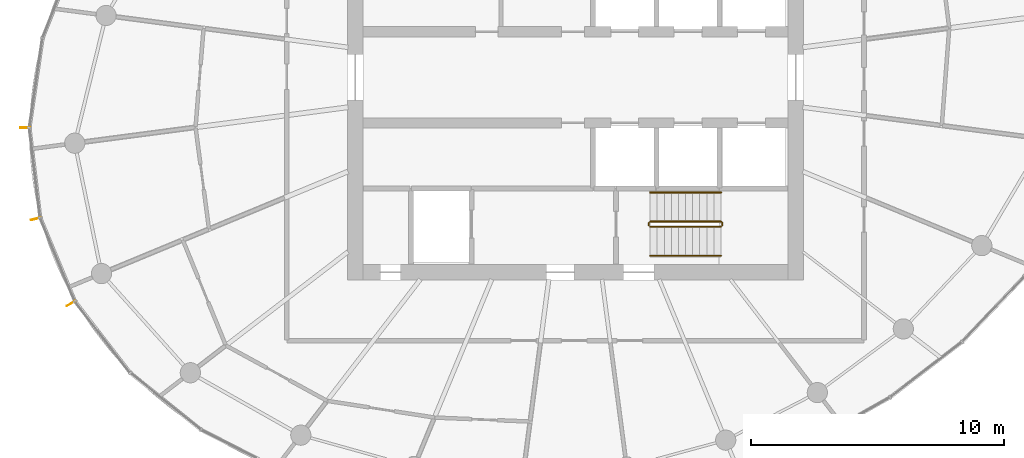
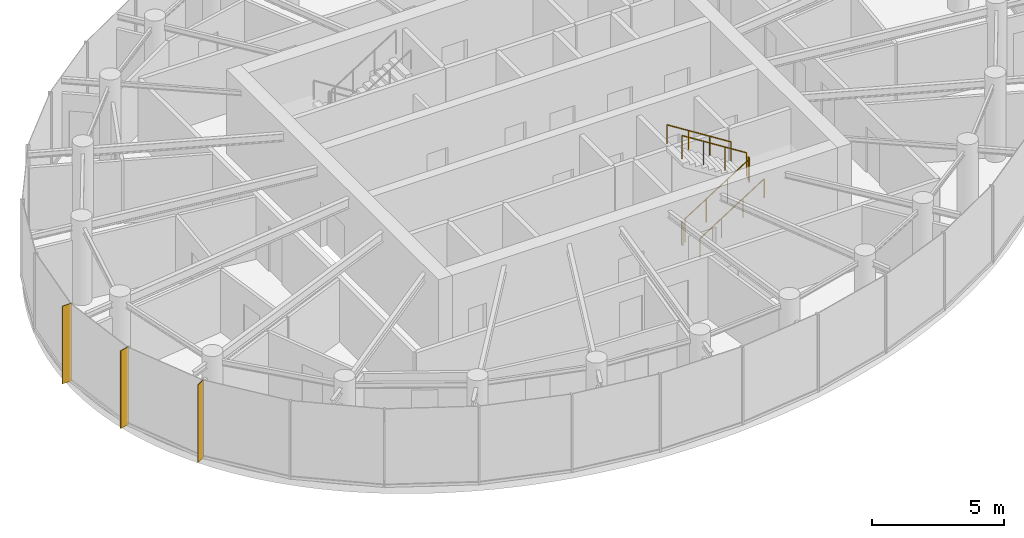
# One storey, part 12 of 13: 6 railings, 3 shading devices.
"""IFC4 building model written with IfcOpenShell, lengths in metres."""

from ifc_helpers import new_model, si_unit, direction, frame, origin, origin_2d, place, context, subcontext, project, spatial, rectangle, circle, extrude, source, transform, mapped, material, material_profile, profile_set, type_object, element, save


model = new_model("IFC4")

# Units and contexts
model_context = context("Model", 3, precision=1e-05, world=origin(), true_north=direction((0.0, 1.0)))
body_context = subcontext(model_context, "Body", "Model", "MODEL_VIEW")
ifc_project = project(units=[si_unit("LENGTHUNIT", "METRE"), si_unit("AREAUNIT", "SQUARE_METRE"), si_unit("VOLUMEUNIT", "CUBIC_METRE"), si_unit("PLANEANGLEUNIT", "RADIAN"), si_unit("MASSUNIT", "GRAM", prefix="KILO")], contexts=[model_context])

# Site, building, storey
site_placement = place(None, origin())
site = spatial("IfcSite", under=ifc_project, at=site_placement, CompositionType="ELEMENT")
building_placement = place(site_placement, origin())
building = spatial("IfcBuilding", under=site, at=building_placement, Name="Spindrift Exchange Tower", CompositionType="ELEMENT")
storey_placement = place(building_placement, frame((0.0, 0.0, 257.89990234375)))
storey = spatial("IfcBuildingStorey", under=building, at=storey_placement, Name="L63", CompositionType="ELEMENT", Elevation=257.89990234375)

# Railings
ifc_material_1 = material(Name="Steel balustrade", Category="steel")
railing_type_1 = type_object("IfcRailingType", Name="RL-STAIR-GUARD", PredefinedType="GUARDRAIL", material=ifc_material_1)
railing_1_placement = place(storey_placement, frame((54.949951171875, 42.10009765625, 0.177490234375)))
element("IfcRailing", 1, at=railing_1_placement, inside=storey, type_object=railing_type_1, Name="L63 ST2 stair guard 1", PredefinedType="GUARDRAIL", context=body_context, shape_type="SweptSolid", body=[
    extrude(circle(Radius=0.02392578125, at=origin_2d()), frame((0.0, 0.0, 1.076171875), z_axis=(0.844908973607, 0.0, 0.534910110503), x_axis=(0.0, 1.0, 0.0)), (0.0, 0.0, 1.0), 3.31396484375),
    extrude(circle(Radius=0.02099609375, at=origin_2d()), origin(), (0.0, 0.0, 1.0), 1.052001953125),
    extrude(circle(Radius=0.02099609375, at=origin_2d()), frame((0.933349609375, 0.0, 0.5908203125)), (0.0, 0.0, 1.0), 1.052001953125),
    extrude(circle(Radius=0.02099609375, at=origin_2d()), frame((1.86669921875, 0.0, 1.181884765625)), (0.0, 0.0, 1.0), 1.052001953125),
    extrude(circle(Radius=0.02099609375, at=origin_2d()), frame((2.800048828125, 0.0, 1.772705078125)), (0.0, 0.0, 1.0), 1.052001953125),
])
railing_2_placement = place(storey_placement, frame((57.800048828125, 42.14990234375, 1.9501953125)))
element("IfcRailing", 2, at=railing_2_placement, inside=storey, type_object=railing_type_1, Name="L63 ST2 stair guard 2", PredefinedType="GUARDRAIL", context=body_context, shape_type="SweptSolid", body=[
    extrude(circle(Radius=0.02392578125, at=origin_2d()), frame((0.0, 0.0, 1.076171875), z_axis=(0.0, 1.0, 0.0), x_axis=(-1.0, 0.0, 0.0)), (0.0, 0.0, 1.0), 0.10009765625),
    extrude(circle(Radius=0.02099609375, at=origin_2d()), origin(), (0.0, 0.0, 1.0), 1.052001953125),
    extrude(circle(Radius=0.02099609375, at=origin_2d()), frame((0.0, 0.10009765625, 0.0)), (0.0, 0.0, 1.0), 1.052001953125),
])
railing_3_placement = place(storey_placement, frame((57.75, 42.300048828125, 2.12744140625)))
element("IfcRailing", 3, at=railing_3_placement, inside=storey, type_object=railing_type_1, Name="L63 ST2 stair guard 3", PredefinedType="GUARDRAIL", context=body_context, shape_type="SweptSolid", body=[
    extrude(circle(Radius=0.02392578125, at=origin_2d()), frame((0.0, 0.0, 1.076171875), z_axis=(-0.844908973607, 0.0, 0.534910110503), x_axis=(0.0, -1.0, 0.0)), (0.0, 0.0, 1.0), 3.31396484375),
    extrude(circle(Radius=0.02099609375, at=origin_2d()), origin(), (0.0, 0.0, 1.0), 1.052001953125),
    extrude(circle(Radius=0.02099609375, at=origin_2d()), frame((-0.933349609375, 0.0, 0.5908203125)), (0.0, 0.0, 1.0), 1.052001953125),
    extrude(circle(Radius=0.02099609375, at=origin_2d()), frame((-1.86669921875, 0.0, 1.181884765625)), (0.0, 0.0, 1.0), 1.052001953125),
    extrude(circle(Radius=0.02099609375, at=origin_2d()), frame((-2.800048828125, 0.0, 1.772705078125)), (0.0, 0.0, 1.0), 1.052001953125),
])
railing_4_placement = place(storey_placement, frame((54.89990234375, 42.14990234375, 0.0)))
element("IfcRailing", 4, at=railing_4_placement, inside=storey, type_object=railing_type_1, Name="L63 ST2 stair guard 4", PredefinedType="GUARDRAIL", context=body_context, shape_type="SweptSolid", body=[
    extrude(circle(Radius=0.02392578125, at=origin_2d()), frame((0.0, 0.0, 1.076171875), z_axis=(0.0, 1.0, 0.0), x_axis=(-1.0, 0.0, 0.0)), (0.0, 0.0, 1.0), 0.10009765625),
    extrude(circle(Radius=0.02099609375, at=origin_2d()), origin(), (0.0, 0.0, 1.0), 1.052001953125),
    extrude(circle(Radius=0.02099609375, at=origin_2d()), frame((0.0, 0.10009765625, 0.0)), (0.0, 0.0, 1.0), 1.052001953125),
])
ifc_material_2 = material(Name="Steel tubular handrail", Category="steel")
railing_type_2 = type_object("IfcRailingType", Name="RL-STAIR-HAND", PredefinedType="HANDRAIL", material=ifc_material_2)
railing_5_placement = place(storey_placement, frame((54.949951171875, 40.949951171875, 0.177490234375)))
element("IfcRailing", 5, at=railing_5_placement, inside=storey, type_object=railing_type_2, Name="L63 ST2 stair handrail 1", PredefinedType="HANDRAIL", context=body_context, shape_type="SweptSolid", body=[
    extrude(circle(Radius=0.02392578125, at=origin_2d()), frame((0.0, 0.0, 0.8759765625), z_axis=(0.844908973607, 0.0, 0.534910110503), x_axis=(0.0, 1.0, 0.0)), (0.0, 0.0, 1.0), 3.31396484375),
    extrude(circle(Radius=0.02099609375, at=origin_2d()), origin(), (0.0, 0.0, 1.0), 0.851806640625),
    extrude(circle(Radius=0.02099609375, at=origin_2d()), frame((0.933349609375, 0.0, 0.5908203125)), (0.0, 0.0, 1.0), 0.851806640625),
    extrude(circle(Radius=0.02099609375, at=origin_2d()), frame((1.86669921875, 0.0, 1.181884765625)), (0.0, 0.0, 1.0), 0.851806640625),
    extrude(circle(Radius=0.02099609375, at=origin_2d()), frame((2.800048828125, 0.0, 1.772705078125)), (0.0, 0.0, 1.0), 0.851806640625),
])
railing_6_placement = place(storey_placement, frame((57.75, 43.449951171875, 2.12744140625)))
element("IfcRailing", 6, at=railing_6_placement, inside=storey, type_object=railing_type_2, Name="L63 ST2 stair handrail 2", PredefinedType="HANDRAIL", context=body_context, shape_type="SweptSolid", body=[
    extrude(circle(Radius=0.02392578125, at=origin_2d()), frame((0.0, 0.0, 0.8759765625), z_axis=(-0.844908973607, 0.0, 0.534910110503), x_axis=(0.0, -1.0, 0.0)), (0.0, 0.0, 1.0), 3.31396484375),
    extrude(circle(Radius=0.02099609375, at=origin_2d()), origin(), (0.0, 0.0, 1.0), 0.851806640625),
    extrude(circle(Radius=0.02099609375, at=origin_2d()), frame((-0.933349609375, 0.0, 0.5908203125)), (0.0, 0.0, 1.0), 0.851806640625),
    extrude(circle(Radius=0.02099609375, at=origin_2d()), frame((-1.86669921875, 0.0, 1.181884765625)), (0.0, 0.0, 1.0), 0.851806640625),
    extrude(circle(Radius=0.02099609375, at=origin_2d()), frame((-2.800048828125, 0.0, 1.772705078125)), (0.0, 0.0, 1.0), 0.851806640625),
])

# Shading devices
ifc_material_3 = material(Name="Bronze anodised aluminium", Category="aluminium")
ifc_material_profile = material_profile(ifc_material_3, rectangle(XDim=0.030029296875, YDim=0.39990234375, at=origin_2d()), Name="WIND FIN 30X400")
ifc_profile_set = profile_set([ifc_material_profile], Name="Bronze anodised aluminium")
shading_device_type = type_object("IfcShadingDeviceType", Name="WIND FIN 30X400", PredefinedType="USERDEFINED", material=ifc_profile_set)
shared_shape = source(origin(), body_context, "Body", "SweptSolid", [
    extrude(rectangle(XDim=0.030029296875, YDim=0.39990234375, at=origin_2d()), origin(), (0.0, 0.0, 1.0), 3.580078125),
])
for number, where, z_axis, x_axis, name in (
    (7, (30.261474609375, 46.0087890625, 0.0), (0.0, 0.0, 1.0), (-0.0130337498, -0.999915057075, 0.0), "L63 wind fin 1"),
    (8, (30.691162109375, 42.411376953125, 0.0), (0.0, 0.0, 1.0), (0.253690415938, -0.967285466065, 0.0), "L63 wind fin 2"),
    (9, (32.08251953125, 39.06591796875, 0.0), (0.0, 0.0, 1.0), (0.502108567065, -0.864804594622, 0.0), "L63 wind fin 3"),
):
    element("IfcShadingDevice", number, at=place(storey_placement, frame(where, z_axis=z_axis, x_axis=x_axis)), inside=storey, type_object=shading_device_type, Name=name, ObjectType="FIN", PredefinedType="USERDEFINED", context=body_context, shape_type="MappedRepresentation", body=[
        mapped(shared_shape, transform((0.0, 0.0, 0.0), scale=1.0)),
    ])

save(model, "model.ifc")
